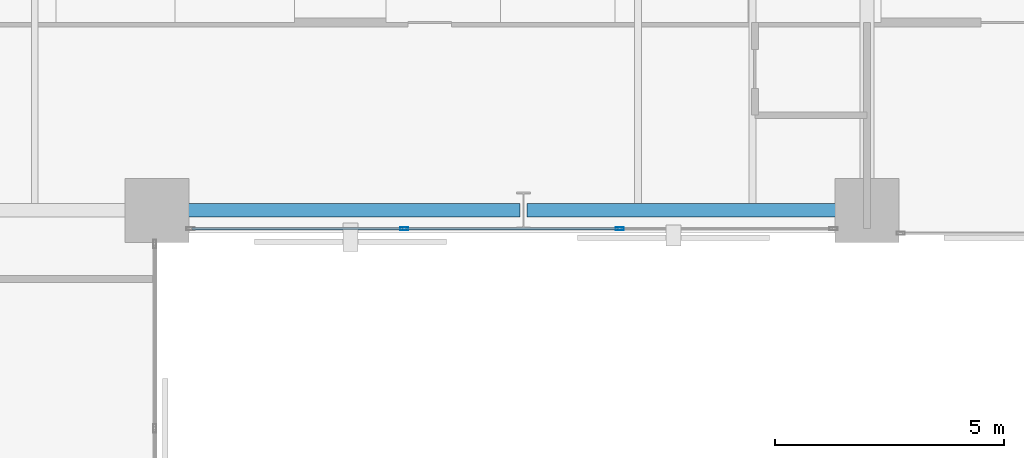
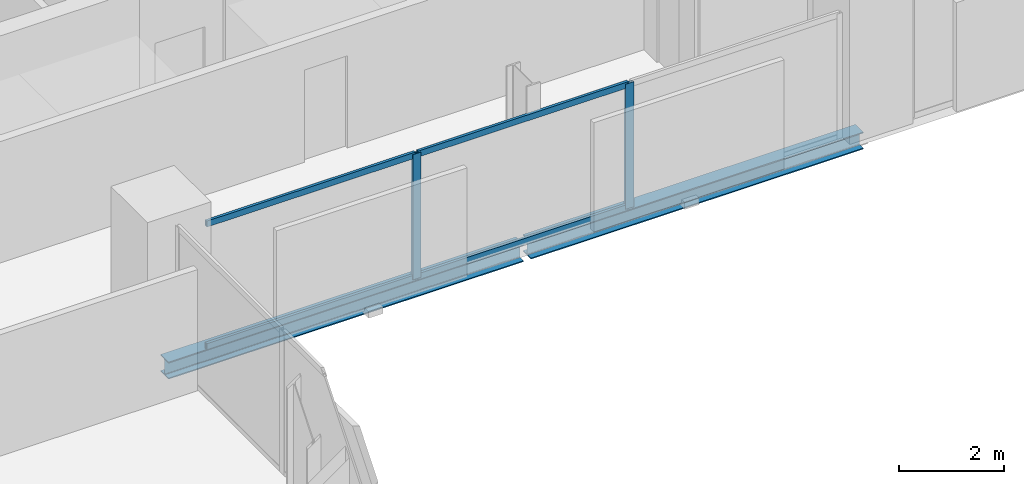
# One storey, part 14 of 33: 6 members, 2 beams, 1 element without a shape of its own.
"""IFC4 building model written with IfcOpenShell, lengths in metres."""

from ifc_helpers import new_model, si_unit, direction, frame, origin, origin_2d, place, context, subcontext, project, spatial, hollow_rectangle, i_section, extrude, material, layer, layer_set, material_profile, profile_set, type_object, element, aggregate, save


model = new_model("IFC4")

# Units and contexts
model_context = context("Model", 3, precision=1e-05, world=origin(), true_north=direction((0.0, 1.0)))
body_context = subcontext(model_context, "Body", "Model", "MODEL_VIEW")
ifc_project = project(units=[si_unit("LENGTHUNIT", "METRE"), si_unit("AREAUNIT", "SQUARE_METRE"), si_unit("VOLUMEUNIT", "CUBIC_METRE"), si_unit("PLANEANGLEUNIT", "RADIAN"), si_unit("MASSUNIT", "GRAM", prefix="KILO")], contexts=[model_context])

# Site, building, storey
site_placement = place(None, origin())
site = spatial("IfcSite", under=ifc_project, at=site_placement, CompositionType="ELEMENT")
building_placement = place(site_placement, origin())
building = spatial("IfcBuilding", under=site, at=building_placement, Name="Catumbela Crestline Tower", CompositionType="ELEMENT")
storey_placement = place(building_placement, frame((0.0, 0.0, 72.6)))
storey = spatial("IfcBuildingStorey", under=building, at=storey_placement, Name="L18", CompositionType="ELEMENT", Elevation=72.6)

# Curtain wall, members
ifc_material_1 = material(Name="Aluminium alloy AW-6060-T66", Category="aluminium")
ifc_layer = layer(ifc_material_1, 0.18, Name="Aluminium alloy AW-6060-T66")
ifc_layer_set = layer_set([ifc_layer], Name="Aluminium alloy AW-6060-T66")
curtain_wall_type = type_object("IfcCurtainWallType", Name="CWU-Z1", PredefinedType="USERDEFINED", material=ifc_layer_set)
curtain_wall_placement = place(storey_placement, origin())
curtain_wall = element("IfcCurtainWall", 1, at=curtain_wall_placement, inside=storey, type_object=curtain_wall_type, Name="L18 Unitised Curtain Wall CW-L18-E3S1", ObjectType="UNITISED", PredefinedType="USERDEFINED")
ifc_material_profile_1 = material_profile(ifc_material_1, hollow_rectangle(XDim=0.065, YDim=0.18, WallThickness=0.004, at=origin_2d()), Name="ALU 180x65x4")
ifc_profile_set_1 = profile_set([ifc_material_profile_1], Name="Aluminium alloy AW-6060-T66")
member_type_1 = type_object("IfcMemberType", Name="MUL-180X65", PredefinedType="MULLION", material=ifc_profile_set_1)
member_1_placement = place(storey_placement, frame((29.4, 24.1, 0.0), z_axis=(0.0, 0.0, 1.0), x_axis=(0.0, 1.0, 0.0)))
member_1 = element("IfcMember", 2, at=member_1_placement, type_object=member_type_1, Name="CWU-Z1 mullion 2", PredefinedType="MULLION", context=body_context, shape_type="SweptSolid", body=[
    extrude(hollow_rectangle(XDim=0.065, YDim=0.18, WallThickness=0.004, at=origin_2d()), origin(), (0.0, 0.0, 1.0), 2.92),
])
member_2_placement = place(storey_placement, frame((34.1, 24.1, 0.0), z_axis=(0.0, 0.0, 1.0), x_axis=(0.0, 1.0, 0.0)))
member_2 = element("IfcMember", 3, at=member_2_placement, type_object=member_type_1, Name="CWU-Z1 mullion 3", PredefinedType="MULLION", context=body_context, shape_type="SweptSolid", body=[
    extrude(hollow_rectangle(XDim=0.065, YDim=0.18, WallThickness=0.004, at=origin_2d()), origin(), (0.0, 0.0, 1.0), 2.92),
])

# Beams
ifc_material_2 = material(Name="Structural steel S355J2", Category="steel")
ifc_material_profile_2 = material_profile(ifc_material_2, i_section(OverallWidth=0.3, OverallDepth=0.4, WebThickness=0.0135, FlangeThickness=0.024, FilletRadius=0.027, at=origin_2d()), Name="HEB 400")
ifc_profile_set_2 = profile_set([ifc_material_profile_2], Name="Structural steel S355J2")
beam_type = type_object("IfcBeamType", Name="BS-HEB400", PredefinedType="SPANDREL", material=ifc_profile_set_2)
beam_1_placement = place(storey_placement, frame((24.08, 24.5, -0.46), z_axis=(1.0, 0.0, 0.0), x_axis=(0.0, 1.0, 0.0)))
element("IfcBeam", 4, at=beam_1_placement, inside=storey, type_object=beam_type, Name="L18 Spandrel SP-L18-S05", PredefinedType="SPANDREL", context=body_context, shape_type="SweptSolid", body=[
    extrude(i_section(OverallWidth=0.3, OverallDepth=0.4, WebThickness=0.0135, FlangeThickness=0.024, FilletRadius=0.027, at=origin_2d()), origin(), (0.0, 0.0, 1.0), 7.84),
])
beam_2_placement = place(storey_placement, frame((32.08, 24.5, -0.46), z_axis=(1.0, 0.0, 0.0), x_axis=(0.0, 1.0, 0.0)))
element("IfcBeam", 5, at=beam_2_placement, inside=storey, type_object=beam_type, Name="L18 Spandrel SP-L18-S06", PredefinedType="SPANDREL", context=body_context, shape_type="SweptSolid", body=[
    extrude(i_section(OverallWidth=0.3, OverallDepth=0.4, WebThickness=0.0135, FlangeThickness=0.024, FilletRadius=0.027, at=origin_2d()), origin(), (0.0, 0.0, 1.0), 7.34),
])

# Member
ifc_material_profile_3 = material_profile(ifc_material_1, hollow_rectangle(XDim=0.06, YDim=0.14, WallThickness=0.004, at=origin_2d()), Name="ALU 140x60x4")
ifc_profile_set_3 = profile_set([ifc_material_profile_3], Name="Aluminium alloy AW-6060-T66")
member_type_2 = type_object("IfcMemberType", Name="TRN-140X60", PredefinedType="USERDEFINED", material=ifc_profile_set_3)
member_3_placement = place(storey_placement, frame((24.765, 24.1, 0.03), z_axis=(1.0, 0.0, 0.0), x_axis=(0.0, 1.0, 0.0)))
member_3 = element("IfcMember", 6, at=member_3_placement, type_object=member_type_2, Name="CWU-Z1 transom 1.1", ObjectType="TRANSOM", PredefinedType="USERDEFINED", context=body_context, shape_type="SweptSolid", body=[
    extrude(hollow_rectangle(XDim=0.06, YDim=0.14, WallThickness=0.004, at=origin_2d()), origin(), (0.0, 0.0, 1.0), 4.6025),
])

member_4_placement = place(storey_placement, frame((24.765, 24.1, 2.89), z_axis=(1.0, 0.0, 0.0), x_axis=(0.0, 1.0, 0.0)))
member_4 = element("IfcMember", 7, at=member_4_placement, type_object=member_type_2, Name="CWU-Z1 transom 1.2", ObjectType="TRANSOM", PredefinedType="USERDEFINED", context=body_context, shape_type="SweptSolid", body=[
    extrude(hollow_rectangle(XDim=0.06, YDim=0.14, WallThickness=0.004, at=origin_2d()), origin(), (0.0, 0.0, 1.0), 4.6025),
])

member_5_placement = place(storey_placement, frame((29.4325, 24.1, 0.03), z_axis=(1.0, 0.0, 0.0), x_axis=(0.0, 1.0, 0.0)))
member_5 = element("IfcMember", 8, at=member_5_placement, type_object=member_type_2, Name="CWU-Z1 transom 2.1", ObjectType="TRANSOM", PredefinedType="USERDEFINED", context=body_context, shape_type="SweptSolid", body=[
    extrude(hollow_rectangle(XDim=0.06, YDim=0.14, WallThickness=0.004, at=origin_2d()), origin(), (0.0, 0.0, 1.0), 4.635),
])

member_6_placement = place(storey_placement, frame((29.4325, 24.1, 2.89), z_axis=(1.0, 0.0, 0.0), x_axis=(0.0, 1.0, 0.0)))
member_6 = element("IfcMember", 9, at=member_6_placement, type_object=member_type_2, Name="CWU-Z1 transom 2.2", ObjectType="TRANSOM", PredefinedType="USERDEFINED", context=body_context, shape_type="SweptSolid", body=[
    extrude(hollow_rectangle(XDim=0.06, YDim=0.14, WallThickness=0.004, at=origin_2d()), origin(), (0.0, 0.0, 1.0), 4.635),
])

aggregate(curtain_wall, [member_1, member_2, member_3, member_4, member_5, member_6])

save(model, "model.ifc")
